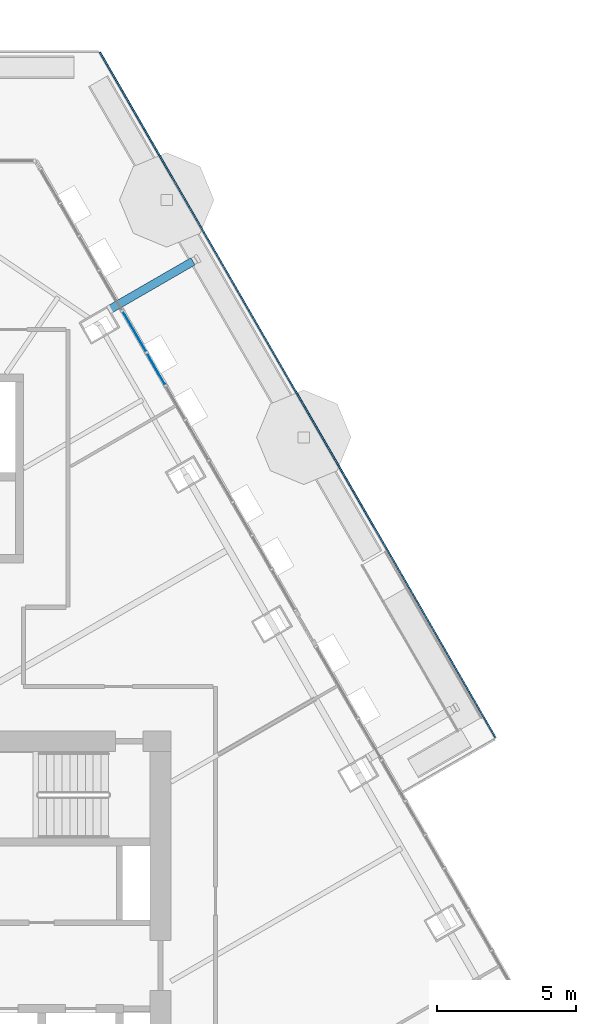
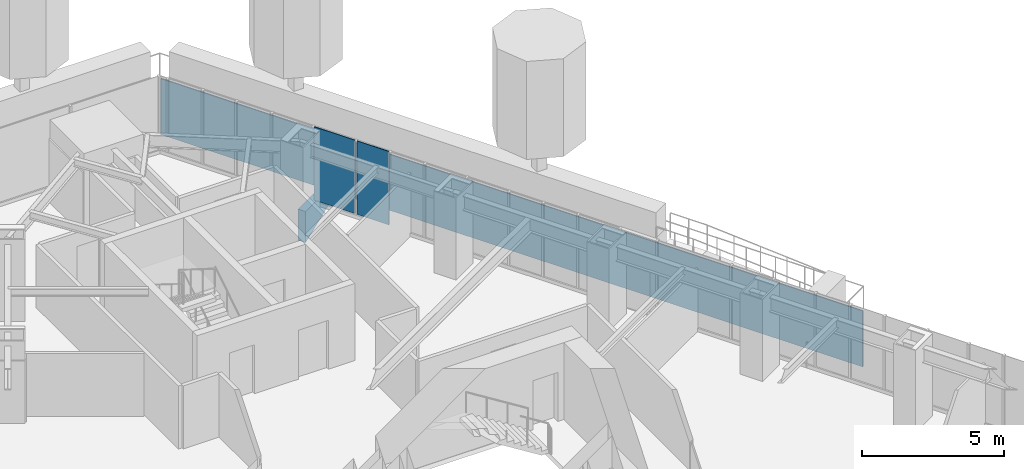
# One storey, part 15 of 22: 4 plates, 1 element without a shape of its own.
"""IFC4 building model written with IfcOpenShell, lengths in metres."""

from ifc_helpers import new_model, si_unit, direction, frame, origin, place, context, subcontext, project, spatial, polyline, outline, extrude, material, layer, layer_set, type_object, element, aggregate, save


model = new_model("IFC4")

# Units and contexts
model_context = context("Model", 3, precision=1e-05, world=origin(), true_north=direction((0.0, 1.0)))
body_context = subcontext(model_context, "Body", "Model", "MODEL_VIEW")
ifc_project = project(units=[si_unit("LENGTHUNIT", "METRE"), si_unit("AREAUNIT", "SQUARE_METRE"), si_unit("VOLUMEUNIT", "CUBIC_METRE"), si_unit("PLANEANGLEUNIT", "RADIAN"), si_unit("MASSUNIT", "GRAM", prefix="KILO")], contexts=[model_context])

# Site, building, storey
site_placement = place(None, origin())
site = spatial("IfcSite", under=ifc_project, at=site_placement, CompositionType="ELEMENT")
building_placement = place(site_placement, origin())
building = spatial("IfcBuilding", under=site, at=building_placement, Name="Firuza Gate Tower and Library", CompositionType="ELEMENT")
storey_placement = place(building_placement, frame((0.0, 0.0, 295.10009765625)))
storey = spatial("IfcBuildingStorey", under=building, at=storey_placement, Name="L71", CompositionType="ELEMENT", Elevation=295.10009765625)

# Curtain wall, plates
ifc_material_1 = material(Name="Aluminium 6063-T6", Category="aluminium")
ifc_layer_1 = layer(ifc_material_1, 0.14990234375)
ifc_layer_set_1 = layer_set([ifc_layer_1], Name="Unitised curtain wall, residences")
curtain_wall_type = type_object("IfcCurtainWallType", Name="Unitised curtain wall, residences", PredefinedType="NOTDEFINED", material=ifc_layer_set_1)
curtain_wall_placement = place(storey_placement, origin())
curtain_wall = element("IfcCurtainWall", 1, at=curtain_wall_placement, inside=storey, type_object=curtain_wall_type, Name="CW3 L71 E face", PredefinedType="NOTDEFINED")
ifc_material_2 = material(Name="Fritted glass", Category="glass")
ifc_layer_2 = layer(ifc_material_2, 0.030029296875)
ifc_layer_set_2 = layer_set([ifc_layer_2], Name="Fritted glass unit, residences")
plate_type_1 = type_object("IfcPlateType", Name="Fritted glass unit, residences", PredefinedType="CURTAIN_PANEL", material=ifc_layer_set_2)
plate_1_placement = place(storey_placement, frame((82.61865234375, 95.40869140625, 0.14990234375), z_axis=(0.866043477274, 0.499968694491, 0.0), x_axis=(-0.499968694491, 0.866043477274, 0.0)))
plate_1 = element("IfcPlate", 2, at=plate_1_placement, type_object=plate_type_1, Name="Glass unit", PredefinedType="CURTAIN_PANEL", context=body_context, shape_type="SweptSolid", body=[
    extrude(outline(polyline([(0.0, 0.0), (1.6592835769325203, 0.0), (1.6592835769325203, 3.14990234375), (0.0, 3.14990234375), (0.0, 0.0)])), origin(), (0.0, 0.0, -1.0), 0.030029296875),
])
ifc_material_3 = material(Name="Glazed ceramic tile")
ifc_layer_3 = layer(ifc_material_3, 0.030029296875)
ifc_layer_set_3 = layer_set([ifc_layer_3], Name="Opaque ceramic panel, residences")
plate_type_2 = type_object("IfcPlateType", Name="Opaque ceramic panel, residences", PredefinedType="CURTAIN_PANEL", material=ifc_layer_set_3)
plate_2_placement = place(storey_placement, frame((83.3056640625, 94.218994140625, 0.14990234375), z_axis=(0.865981306888, 0.500076370288, 0.0), x_axis=(-0.500076370288, 0.865981306888, 0.0)))
plate_2 = element("IfcPlate", 3, at=plate_2_placement, type_object=plate_type_2, Name="Opaque ceramic panel", PredefinedType="CURTAIN_PANEL", context=body_context, shape_type="SweptSolid", body=[
    extrude(outline(polyline([(0.0, 0.0), (1.2937477047296333, 0.0), (1.2937477047296333, 3.14990234375), (0.0, 3.14990234375), (0.0, 0.0)])), origin(), (0.0, 0.0, -1.0), 0.030029296875),
])
aggregate(curtain_wall, [plate_2, plate_1])

# Plates
ifc_material_4 = material(Name="Steel S355", Category="steel")
ifc_layer_4 = layer(ifc_material_4, 0.300048828125)
ifc_layer_set_4 = layer_set([ifc_layer_4], Name="Tray bracket web 300 Steel S355")
plate_type_3 = type_object("IfcPlateType", Name="Tray bracket web 300 Steel S355", PredefinedType="SHEET", material=ifc_layer_set_4)
plate_3_placement = place(storey_placement, frame((81.251953125, 97.06591796875, -0.2001953125), z_axis=(-0.500081895979, 0.865978115955, 0.0), x_axis=(0.865978115955, 0.500081895979, 0.0)))
element("IfcPlate", 4, at=plate_3_placement, inside=storey, type_object=plate_type_3, Name="Tray bracket web L71 col:L70:E6", PredefinedType="SHEET", context=body_context, shape_type="SweptSolid", body=[
    extrude(outline(polyline([(0.0, 0.0), (3.429614038049955, 0.0), (0.0, 1.333984375), (0.0, 0.0)])), origin(), (0.0, 0.0, -1.0), 0.300048828125),
])
ifc_material_5 = material(Name="Aluminium 6063-T6", Category="aluminium")
ifc_layer_5 = layer(ifc_material_5, 0.050048828125)
ifc_layer_set_5 = layer_set([ifc_layer_5], Name="Tray fascia panel 50")
plate_type_4 = type_object("IfcPlateType", Name="Tray fascia panel 50", PredefinedType="SHEET", material=ifc_layer_set_5)
plate_4_placement = place(storey_placement, frame((95.205078125, 81.529052734375, -2.400146484375), z_axis=(0.866022096595, 0.500005728176, 0.0), x_axis=(-0.500005728176, 0.866022096595, 0.0)))
element("IfcPlate", 5, at=plate_4_placement, inside=storey, type_object=plate_type_4, Name="Tray fascia L71 1", PredefinedType="SHEET", context=body_context, shape_type="SweptSolid", body=[
    extrude(outline(polyline([(0.0, 0.0), (28.47379488793723, 0.0), (28.47379488793723, 2.400146484375), (0.0, 2.400146484375), (0.0, 0.0)])), origin(), (0.0, 0.0, -1.0), 0.050048828125),
])

save(model, "model.ifc")
